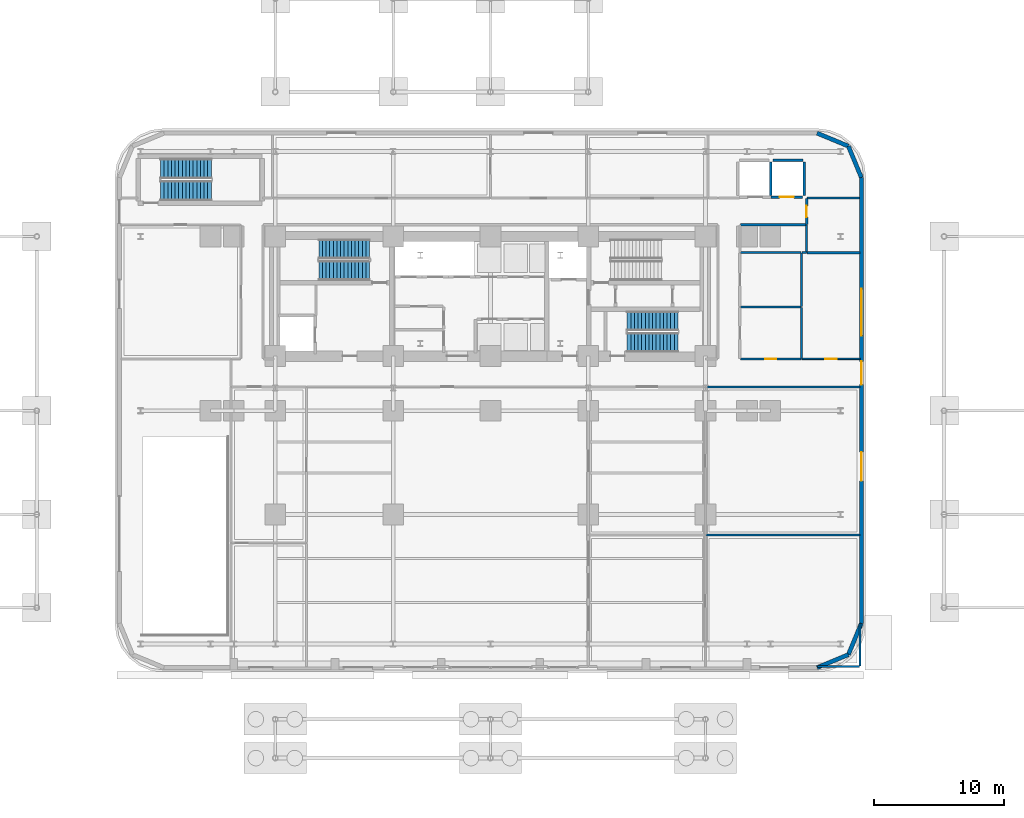
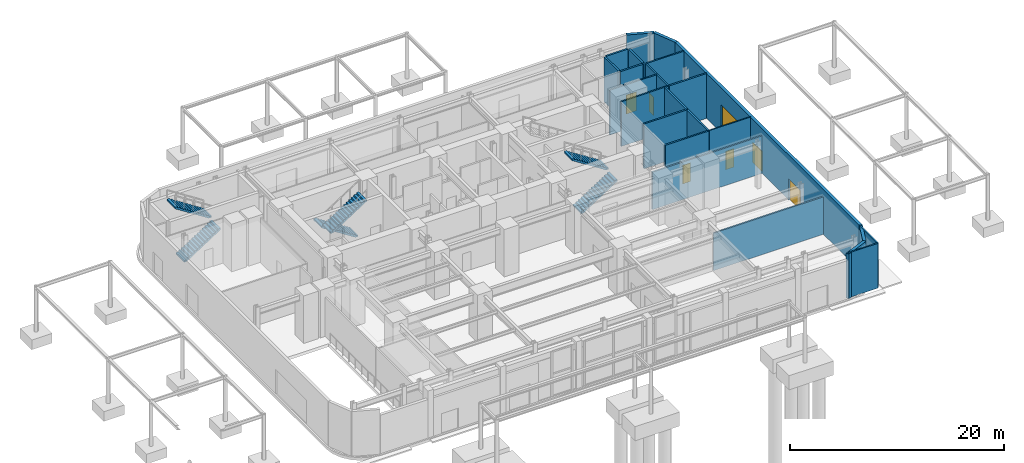
# One storey, part 15 of 21: 25 walls, 7 doors, 6 stair flights, 7 openings, 3 elements without a shape of their own.
"""IFC4 building model written with IfcOpenShell, lengths in metres."""

from ifc_helpers import new_model, si_unit, direction, frame, frame_2d, origin, place, context, subcontext, project, spatial, polyline, rectangle, outline, extrude, material, layer, layer_set, type_object, element, fill, aggregate, save


model = new_model("IFC4")

# Units and contexts
model_context = context("Model", 3, precision=1e-05, world=origin(), true_north=direction((0.0, 1.0)))
body_context = subcontext(model_context, "Body", "Model", "MODEL_VIEW")
ifc_project = project(units=[si_unit("LENGTHUNIT", "METRE"), si_unit("AREAUNIT", "SQUARE_METRE"), si_unit("VOLUMEUNIT", "CUBIC_METRE"), si_unit("PLANEANGLEUNIT", "RADIAN"), si_unit("MASSUNIT", "GRAM", prefix="KILO")], contexts=[model_context])

# Site, building, storey
site_placement = place(None, origin())
site = spatial("IfcSite", under=ifc_project, at=site_placement, CompositionType="ELEMENT")
building_placement = place(site_placement, origin())
building = spatial("IfcBuilding", under=site, at=building_placement, Name="Zarnavel Station Tower", CompositionType="ELEMENT")
storey_placement = place(building_placement, origin())
storey = spatial("IfcBuildingStorey", under=building, at=storey_placement, Name="L01", CompositionType="ELEMENT", Elevation=0.0)

# Walls
ifc_material_1 = material(Name="Precast concrete C45/55 (Podium Basalt Frame)", Category="masonry")
ifc_layer_1 = layer(ifc_material_1, 0.320068359375)
ifc_layer_set_1 = layer_set([ifc_layer_1], Name="EW_BASALT_320")
wall_type_1 = type_object("IfcWallType", Name="EW_BASALT_320", PredefinedType="SOLIDWALL", material=ifc_layer_set_1)
for number, where, z_axis, x_axis, name in (
    (1, (56.418212890625, 4.78173828125, 0.0), (0.0, 0.0, 1.0), (-0.923872453333, -0.382700522567, 0.0), "L01 Exterior Basalt Masonry Frame Wall 01"),
    (2, (57.419921875, 7.199951171875, 0.0), (0.0, 0.0, 1.0), (-0.382700522567, -0.923872453333, 0.0), "L01 Exterior Basalt Masonry Frame Wall 02"),
):
    element("IfcWall", number, at=place(storey_placement, frame(where, z_axis=z_axis, x_axis=x_axis)), inside=storey, type_object=wall_type_1, Name=name, PredefinedType="SOLIDWALL", context=body_context, shape_type="SweptSolid", body=[
        extrude(rectangle(XDim=2.617431640625, YDim=0.320068359375, at=frame_2d((1.30859375, 0.0))), origin(), (0.0, 0.0, 1.0), 5.10009765625),
    ])

# Wall, openings, doors
wall_1_placement = place(storey_placement, frame((57.419921875, 41.60009765625, 0.0), z_axis=(0.0, 0.0, 1.0), x_axis=(0.0, -1.0, 0.0)))
wall_1 = element("IfcWall", 3, at=wall_1_placement, inside=storey, type_object=wall_type_1, Name="L01 Exterior Basalt Masonry Frame Wall 03", PredefinedType="SOLIDWALL", context=body_context, shape_type="SweptSolid", body=[
    extrude(rectangle(XDim=34.400146484375, YDim=0.320068359375, at=frame_2d((17.2001953125, 0.0))), origin(), (0.0, 0.0, 1.0), 5.10009765625),
])
opening_1_placement = place(wall_1_placement, frame((14.179931640625, 0.0, 0.0)))
opening_1 = element("IfcOpeningElement", 4, at=opening_1_placement, cuts=wall_1, Name="Opening ED02", PredefinedType="OPENING", context=body_context, shape_type="SweptSolid", body=[
    extrude(rectangle(XDim=1.800048828125, YDim=2.300048828125, at=frame_2d((0.89990234375, 1.14990234375))), frame((0.0, 0.169921875, 0.0), z_axis=(0.0, -1.0, 0.0), x_axis=(1.0, 0.0, 0.0)), (0.0, 0.0, 1.0), 0.340087890625),
])
opening_2_placement = place(wall_1_placement, frame((21.199951171875, 0.0, 0.0)))
opening_2 = element("IfcOpeningElement", 5, at=opening_2_placement, cuts=wall_1, Name="Opening ED01", PredefinedType="OPENING", context=body_context, shape_type="SweptSolid", body=[
    extrude(rectangle(XDim=2.199951171875, YDim=2.39990234375, at=frame_2d((1.10009765625, 1.199951171875))), frame((0.0, 0.169921875, 0.0), z_axis=(0.0, -1.0, 0.0), x_axis=(1.0, 0.0, 0.0)), (0.0, 0.0, 1.0), 0.340087890625),
])
opening_3_placement = place(wall_1_placement, frame((8.60009765625, 0.0, 0.0)))
opening_3 = element("IfcOpeningElement", 6, at=opening_3_placement, cuts=wall_1, Name="Opening VD02", PredefinedType="OPENING", context=body_context, shape_type="SweptSolid", body=[
    extrude(rectangle(XDim=3.60009765625, YDim=3.199951171875, at=frame_2d((1.800048828125, 1.60009765625))), frame((0.0, 0.169921875, 0.0), z_axis=(0.0, -1.0, 0.0), x_axis=(1.0, 0.0, 0.0)), (0.0, 0.0, 1.0), 0.340087890625),
])
ifc_material_2 = material(Name="Thermally Broken Black Aluminium and Laminated Safety Glass", Category="aluminium")
door_type_1 = type_object("IfcDoorType", Name="ED_EXIT_2200", OperationType="DOUBLE_DOOR_SINGLE_SWING", PredefinedType="DOOR", material=ifc_material_2)
door_1_placement = place(opening_2_placement, origin())
door_1 = element("IfcDoor", 7, at=door_1_placement, inside=storey, type_object=door_type_1, Name="L01 East Hotel Forecourt Entrance Door", OperationType="SINGLE_SWING_LEFT", OverallHeight=2.39990234375, OverallWidth=2.199951171875, PredefinedType="DOOR", context=body_context, shape_type="SweptSolid", body=[
    extrude(rectangle(XDim=2.199951171875, YDim=2.39990234375, at=frame_2d((1.10009765625, 1.199951171875))), frame((0.0, 0.02490234375, 0.0), z_axis=(0.0, -1.0, 0.0), x_axis=(1.0, 0.0, 0.0)), (0.0, 0.0, 1.0), 0.050048828125),
])
fill(opening_2, door_1)
ifc_material_3 = material(Name="Thermally Broken Black Aluminium and Laminated Safety Glass", Category="aluminium")
door_type_2 = type_object("IfcDoorType", Name="ED_SHOP_1800", OperationType="DOUBLE_DOOR_SINGLE_SWING", PredefinedType="DOOR", material=ifc_material_3)
door_2_placement = place(opening_1_placement, origin())
door_2 = element("IfcDoor", 8, at=door_2_placement, inside=storey, type_object=door_type_2, Name="L01 East Protected Corridor Final Exit Door", OperationType="SINGLE_SWING_LEFT", OverallHeight=2.300048828125, OverallWidth=1.800048828125, PredefinedType="DOOR", context=body_context, shape_type="SweptSolid", body=[
    extrude(rectangle(XDim=1.800048828125, YDim=2.300048828125, at=frame_2d((0.89990234375, 1.14990234375))), frame((0.0, 0.02490234375, 0.0), z_axis=(0.0, -1.0, 0.0), x_axis=(1.0, 0.0, 0.0)), (0.0, 0.0, 1.0), 0.050048828125),
])
fill(opening_1, door_2)
ifc_material_4 = material(Name="Thermally Broken Black Aluminium and Laminated Safety Glass", Category="aluminium")
door_type_3 = type_object("IfcDoorType", Name="VD_LOAD_3600", OperationType="ROLLINGUP", PredefinedType="GATE", material=ifc_material_4)
door_3_placement = place(opening_3_placement, origin())
door_3 = element("IfcDoor", 9, at=door_3_placement, inside=storey, type_object=door_type_3, Name="L01 Service and Loading Bay Shutter", OperationType="ROLLINGUP", OverallHeight=3.199951171875, OverallWidth=3.60009765625, PredefinedType="GATE", context=body_context, shape_type="SweptSolid", body=[
    extrude(rectangle(XDim=3.60009765625, YDim=3.199951171875, at=frame_2d((1.800048828125, 1.60009765625))), frame((0.0, 0.02490234375, 0.0), z_axis=(0.0, -1.0, 0.0), x_axis=(1.0, 0.0, 0.0)), (0.0, 0.0, 1.0), 0.050048828125),
])
fill(opening_3, door_3)

# Walls
for number, where, z_axis, x_axis, name in (
    (10, (56.418212890625, 44.018310546875, 0.0), (0.0, 0.0, 1.0), (0.382700522567, -0.923872453333, 0.0), "L01 Exterior Basalt Masonry Frame Wall 04"),
    (11, (54.0, 45.02001953125, 0.0), (0.0, 0.0, 1.0), (0.923872453333, -0.382700522567, 0.0), "L01 Exterior Basalt Masonry Frame Wall 05"),
):
    element("IfcWall", number, at=place(storey_placement, frame(where, z_axis=z_axis, x_axis=x_axis)), inside=storey, type_object=wall_type_1, Name=name, PredefinedType="SOLIDWALL", context=body_context, shape_type="SweptSolid", body=[
        extrude(rectangle(XDim=2.617431640625, YDim=0.320068359375, at=frame_2d((1.30859375, 0.0))), origin(), (0.0, 0.0, 1.0), 5.10009765625),
    ])
ifc_material_5 = material(Name="Gypsum Twin-Stud Acoustic Fire Partition", Category="concrete")
ifc_layer_2 = layer(ifc_material_5, 0.159912109375)
ifc_layer_set_2 = layer_set([ifc_layer_2], Name="PT_DEMISE_160")
wall_type_2 = type_object("IfcWallType", Name="PT_DEMISE_160", PredefinedType="PARTITIONING", material=ifc_layer_set_2)
for number, where, z_axis, x_axis, name in (
    (12, (45.43994140625, 25.449951171875, 0.0), (0.0, 0.0, 1.0), (1.0, 0.0, 0.0), "L01 Partition PCOR-S-HLUG"),
    (13, (45.43994140625, 14.0, 0.0), (0.0, 0.0, 1.0), (1.0, 0.0, 0.0), "L01 Partition TKTE-HLUG"),
):
    element("IfcWall", number, at=place(storey_placement, frame(where, z_axis=z_axis, x_axis=x_axis)), inside=storey, type_object=wall_type_2, Name=name, PredefinedType="PARTITIONING", context=body_context, shape_type="SweptSolid", body=[
        extrude(rectangle(XDim=11.880126953125, YDim=0.159912109375, at=frame_2d((5.93994140625, 0.0))), origin(), (0.0, 0.0, 1.0), 4.26611328125),
    ])
wall_2_placement = place(storey_placement, frame((48.080078125, 37.949951171875, 0.0), z_axis=(0.0, 0.0, 1.0), x_axis=(1.0, 0.0, 0.0)))
element("IfcWall", 14, at=wall_2_placement, inside=storey, type_object=wall_type_2, Name="L01 Enclosure Wall PLLOB", PredefinedType="PARTITIONING", context=body_context, shape_type="SweptSolid", body=[
    extrude(rectangle(XDim=5.08984375, YDim=0.159912109375, at=frame_2d((2.544921875, 0.0))), origin(), (0.0, 0.0, 1.0), 5.10009765625),
])
wall_3_placement = place(storey_placement, frame((48.080078125, 35.800048828125, 0.0), z_axis=(0.0, 0.0, 1.0), x_axis=(1.0, 0.0, 0.0)))
element("IfcWall", 15, at=wall_3_placement, inside=storey, type_object=wall_type_2, Name="L01 Enclosure Wall PWC-F", PredefinedType="PARTITIONING", context=body_context, shape_type="SweptSolid", body=[
    extrude(rectangle(XDim=4.68994140625, YDim=0.159912109375, at=frame_2d((2.344970703125, 0.0))), origin(), (0.0, 0.0, 1.0), 5.10009765625),
])
wall_4_placement = place(storey_placement, frame((53.22998046875, 40.0, 0.0), z_axis=(0.0, 0.0, 1.0), x_axis=(1.0, 0.0, 0.0)))
element("IfcWall", 16, at=wall_4_placement, inside=storey, type_object=wall_type_2, Name="L01 Enclosure Wall PWC-A", PredefinedType="PARTITIONING", context=body_context, shape_type="SweptSolid", body=[
    extrude(rectangle(XDim=4.06005859375, YDim=0.159912109375, at=frame_2d((2.030029296875, 0.0))), origin(), (0.0, 0.0, 1.0), 5.10009765625),
])
wall_5_placement = place(storey_placement, frame((53.199951171875, 35.830078125, 0.0), z_axis=(0.0, 0.0, 1.0), x_axis=(0.0, 1.0, 0.0)))
element("IfcWall", 17, at=wall_5_placement, inside=storey, type_object=wall_type_2, Name="L01 Enclosure Wall PWC-A", PredefinedType="PARTITIONING", context=body_context, shape_type="SweptSolid", body=[
    extrude(rectangle(XDim=2.08984375, YDim=0.159912109375, at=frame_2d((1.044921875, 0.0))), origin(), (0.0, 0.0, 1.0), 5.10009765625),
])
for number, where, z_axis, x_axis, name in (
    (18, (54.030029296875, 3.8798828125, 0.0), (0.0, 0.0, 1.0), (1.0, 0.0, 0.0), "L01 Enclosure Wall TKTE"),
    (19, (57.320068359375, 3.909912109375, 0.0), (0.0, 0.0, 1.0), (0.0, 1.0, 0.0), "L01 Enclosure Wall TKTE"),
):
    element("IfcWall", number, at=place(storey_placement, frame(where, z_axis=z_axis, x_axis=x_axis)), inside=storey, type_object=wall_type_2, Name=name, PredefinedType="PARTITIONING", context=body_context, shape_type="SweptSolid", body=[
        extrude(rectangle(XDim=3.260009765625, YDim=0.159912109375, at=frame_2d((1.6298828125, 0.0))), origin(), (0.0, 0.0, 1.0), 5.10009765625),
    ])
wall_6_placement = place(storey_placement, frame((52.830078125, 35.800048828125, 0.0), z_axis=(0.0, 0.0, 1.0), x_axis=(1.0, 0.0, 0.0)))
element("IfcWall", 20, at=wall_6_placement, inside=storey, type_object=wall_type_2, Name="L01 Enclosure Wall LOAD", PredefinedType="PARTITIONING", context=body_context, shape_type="SweptSolid", body=[
    extrude(rectangle(XDim=0.33984375, YDim=0.159912109375, at=frame_2d((0.169921875, 0.0))), origin(), (0.0, 0.0, 1.0), 5.10009765625),
])

# Wall, opening, door
ifc_material_6 = material(Name="Gypsum Metal-Stud Interior Partition", Category="concrete")
ifc_layer_3 = layer(ifc_material_6, 0.1201171875)
ifc_layer_set_3 = layer_set([ifc_layer_3], Name="PT_ROOM_120")
wall_type_3 = type_object("IfcWallType", Name="PT_ROOM_120", PredefinedType="PARTITIONING", material=ifc_layer_set_3)
wall_7_placement = place(storey_placement, frame((52.840087890625, 27.60009765625, 0.0), z_axis=(0.0, 0.0, 1.0), x_axis=(1.0, 0.0, 0.0)))
wall_7 = element("IfcWall", 21, at=wall_7_placement, inside=storey, type_object=wall_type_3, Name="L01 Partition PCOR-S-LOAD", PredefinedType="PARTITIONING", context=body_context, shape_type="SweptSolid", body=[
    extrude(rectangle(XDim=4.47998046875, YDim=0.1201171875, at=frame_2d((2.239990234375, 0.0))), origin(), (0.0, 0.0, 1.0), 5.10009765625),
])
opening_4_placement = place(wall_7_placement, frame((1.7900390625, 0.0, 0.0)))
opening_4 = element("IfcOpeningElement", 22, at=opening_4_placement, cuts=wall_7, Name="Opening ID01", PredefinedType="OPENING", context=body_context, shape_type="SweptSolid", body=[
    extrude(rectangle(XDim=0.89990234375, YDim=2.10009765625, at=frame_2d((0.449951171875, 1.050048828125))), frame((0.0, 0.070068359375, 0.0), z_axis=(0.0, -1.0, 0.0), x_axis=(1.0, 0.0, 0.0)), (0.0, 0.0, 1.0), 0.14013671875),
])
ifc_material_7 = material(Name="Painted Galvanised Steel and Hardwood Leaf", Category="steel")
door_type_4 = type_object("IfcDoorType", Name="ID_ROOM_900", OperationType="NOTDEFINED", PredefinedType="DOOR", material=ifc_material_7)
door_4_placement = place(opening_4_placement, origin())
door_4 = element("IfcDoor", 23, at=door_4_placement, inside=storey, type_object=door_type_4, Name="L01 Door PCOR-S-LOAD", OperationType="SINGLE_SWING_LEFT", OverallHeight=2.10009765625, OverallWidth=0.89990234375, PredefinedType="DOOR", context=body_context, shape_type="SweptSolid", body=[
    extrude(rectangle(XDim=0.89990234375, YDim=2.10009765625, at=frame_2d((0.449951171875, 1.050048828125))), frame((0.0, 0.02490234375, 0.0), z_axis=(0.0, -1.0, 0.0), x_axis=(1.0, 0.0, 0.0)), (0.0, 0.0, 1.0), 0.050048828125),
])
fill(opening_4, door_4)

# Wall
ifc_material_8 = material(Name="Precast concrete C45/55 (Fire Shaft Blockwork)", Category="masonry")
ifc_layer_4 = layer(ifc_material_8, 0.199951171875)
ifc_layer_set_4 = layer_set([ifc_layer_4], Name="PT_SHAFT_200")
wall_type_4 = type_object("IfcWallType", Name="PT_SHAFT_200", PredefinedType="PARTITIONING", material=ifc_layer_set_4)
wall_8_placement = place(storey_placement, frame((50.419921875, 40.199951171875, 0.0), z_axis=(0.0, 0.0, 1.0), x_axis=(0.0, 1.0, 0.0)))
element("IfcWall", 24, at=wall_8_placement, inside=storey, type_object=wall_type_4, Name="L01 Lift PL-P1 Shaft Wall E", PredefinedType="PARTITIONING", context=body_context, shape_type="SweptSolid", body=[
    extrude(rectangle(XDim=2.60009765625, YDim=0.199951171875, at=frame_2d((1.300048828125, 0.0))), origin(), (0.0, 0.0, 1.0), 5.10009765625),
])

# Wall, opening, door
wall_9_placement = place(storey_placement, frame((50.449951171875, 40.080078125, 0.0), z_axis=(0.0, 0.0, 1.0), x_axis=(1.0, 0.0, 0.0)))
wall_9 = element("IfcWall", 25, at=wall_9_placement, inside=storey, type_object=wall_type_4, Name="L01 Lift PL-P2 Shaft Front Wall", PredefinedType="PARTITIONING", context=body_context, shape_type="SweptSolid", body=[
    extrude(rectangle(XDim=2.429931640625, YDim=0.199951171875, at=frame_2d((1.21484375, 0.0))), origin(), (0.0, 0.0, 1.0), 5.10009765625),
])
opening_5_placement = place(wall_9_placement, frame((0.6650390625, 0.0, 0.0)))
opening_5 = element("IfcOpeningElement", 26, at=opening_5_placement, cuts=wall_9, Name="Opening LD02", PredefinedType="OPENING", context=body_context, shape_type="SweptSolid", body=[
    extrude(rectangle(XDim=1.10009765625, YDim=2.14990234375, at=frame_2d((0.550048828125, 1.074951171875))), frame((0.0, 0.10986328125, 0.0), z_axis=(0.0, -1.0, 0.0), x_axis=(1.0, 0.0, 0.0)), (0.0, 0.0, 1.0), 0.219970703125),
])
ifc_material_9 = material(Name="Painted Galvanised Steel and Hardwood Leaf", Category="steel")
door_type_5 = type_object("IfcDoorType", Name="LD_PAX_1100", OperationType="DOUBLE_DOOR_SLIDING", PredefinedType="DOOR", material=ifc_material_9)
door_5_placement = place(opening_5_placement, origin())
door_5 = element("IfcDoor", 27, at=door_5_placement, inside=storey, type_object=door_type_5, Name="L01 Lift PL-P2 Sliding Landing Door", OperationType="DOUBLE_DOOR_SLIDING", OverallHeight=2.14990234375, OverallWidth=1.10009765625, PredefinedType="DOOR", context=body_context, shape_type="SweptSolid", body=[
    extrude(rectangle(XDim=1.10009765625, YDim=2.14990234375, at=frame_2d((0.550048828125, 1.074951171875))), frame((0.0, 0.02490234375, 0.0), z_axis=(0.0, -1.0, 0.0), x_axis=(1.0, 0.0, 0.0)), (0.0, 0.0, 1.0), 0.050048828125),
])
fill(opening_5, door_5)

# Walls
wall_10_placement = place(storey_placement, frame((50.60009765625, 42.919921875, 0.0), z_axis=(0.0, 0.0, 1.0), x_axis=(1.0, 0.0, 0.0)))
element("IfcWall", 28, at=wall_10_placement, inside=storey, type_object=wall_type_4, Name="L01 Lift PL-P2 Shaft Wall N", PredefinedType="PARTITIONING", context=body_context, shape_type="SweptSolid", body=[
    extrude(rectangle(XDim=2.2998046875, YDim=0.199951171875, at=frame_2d((1.14990234375, 0.0))), origin(), (0.0, 0.0, 1.0), 5.10009765625),
])
wall_11_placement = place(storey_placement, frame((53.02001953125, 40.199951171875, 0.0), z_axis=(0.0, 0.0, 1.0), x_axis=(0.0, 1.0, 0.0)))
element("IfcWall", 29, at=wall_11_placement, inside=storey, type_object=wall_type_4, Name="L01 Lift PL-P2 Shaft Wall E", PredefinedType="PARTITIONING", context=body_context, shape_type="SweptSolid", body=[
    extrude(rectangle(XDim=2.60009765625, YDim=0.199951171875, at=frame_2d((1.300048828125, 0.0))), origin(), (0.0, 0.0, 1.0), 5.10009765625),
])

# Wall, opening, door
ifc_material_10 = material(Name="Moisture-Resistant Plumbing Chase Wall", Category="concrete")
ifc_layer_5 = layer(ifc_material_10, 0.179931640625)
ifc_layer_set_5 = layer_set([ifc_layer_5], Name="PW_PLUMB_180")
wall_type_5 = type_object("IfcWallType", Name="PW_PLUMB_180", PredefinedType="PLUMBINGWALL", material=ifc_layer_set_5)
wall_12_placement = place(storey_placement, frame((48.090087890625, 27.60009765625, 0.0), z_axis=(0.0, 0.0, 1.0), x_axis=(1.0, 0.0, 0.0)))
wall_12 = element("IfcWall", 30, at=wall_12_placement, inside=storey, type_object=wall_type_5, Name="L01 Partition PCOR-S-PWC-M", PredefinedType="PLUMBINGWALL", context=body_context, shape_type="SweptSolid", body=[
    extrude(rectangle(XDim=4.669921875, YDim=0.179931640625, at=frame_2d((2.3349609375, 0.0))), origin(), (0.0, 0.0, 1.0), 5.10009765625),
])
opening_6_placement = place(wall_12_placement, frame((1.909912109375, 0.0, 0.0)))
opening_6 = element("IfcOpeningElement", 31, at=opening_6_placement, cuts=wall_12, Name="Opening ID02", PredefinedType="OPENING", context=body_context, shape_type="SweptSolid", body=[
    extrude(rectangle(XDim=0.85009765625, YDim=2.10009765625, at=frame_2d((0.425048828125, 1.050048828125))), frame((0.0, 0.099853515625, 0.0), z_axis=(0.0, -1.0, 0.0), x_axis=(1.0, 0.0, 0.0)), (0.0, 0.0, 1.0), 0.199951171875),
])
ifc_material_11 = material(Name="Painted Galvanised Steel and Hardwood Leaf", Category="steel")
door_type_6 = type_object("IfcDoorType", Name="ID_BATH_850", OperationType="NOTDEFINED", PredefinedType="DOOR", material=ifc_material_11)
door_6_placement = place(opening_6_placement, origin())
door_6 = element("IfcDoor", 32, at=door_6_placement, inside=storey, type_object=door_type_6, Name="L01 Door PCOR-S-PWC-M", OperationType="SINGLE_SWING_LEFT", OverallHeight=2.10009765625, OverallWidth=0.85009765625, PredefinedType="DOOR", context=body_context, shape_type="SweptSolid", body=[
    extrude(rectangle(XDim=0.85009765625, YDim=2.10009765625, at=frame_2d((0.425048828125, 1.050048828125))), frame((0.0, 0.02490234375, 0.0), z_axis=(0.0, -1.0, 0.0), x_axis=(1.0, 0.0, 0.0)), (0.0, 0.0, 1.0), 0.050048828125),
])
fill(opening_6, door_6)

wall_13_placement = place(storey_placement, frame((53.199951171875, 37.989990234375, 0.0), z_axis=(0.0, 0.0, 1.0), x_axis=(0.0, 1.0, 0.0)))
wall_13 = element("IfcWall", 33, at=wall_13_placement, inside=storey, type_object=wall_type_5, Name="L01 Partition PLLOB-PWC-A", PredefinedType="PLUMBINGWALL", context=body_context, shape_type="SweptSolid", body=[
    extrude(rectangle(XDim=1.969970703125, YDim=0.179931640625, at=frame_2d((0.98486328125, 0.0))), origin(), (0.0, 0.0, 1.0), 5.10009765625),
])
opening_7_placement = place(wall_13_placement, frame((0.56005859375, 0.0, 0.0)))
opening_7 = element("IfcOpeningElement", 34, at=opening_7_placement, cuts=wall_13, Name="Opening ID02", PredefinedType="OPENING", context=body_context, shape_type="SweptSolid", body=[
    extrude(rectangle(XDim=0.85009765625, YDim=2.10009765625, at=frame_2d((0.425048828125, 1.050048828125))), frame((0.0, 0.099853515625, 0.0), z_axis=(0.0, -1.0, 0.0), x_axis=(1.0, 0.0, 0.0)), (0.0, 0.0, 1.0), 0.199951171875),
])
door_7_placement = place(opening_7_placement, origin())
door_7 = element("IfcDoor", 35, at=door_7_placement, inside=storey, type_object=door_type_6, Name="L01 Door PLLOB-PWC-A", OperationType="SINGLE_SWING_LEFT", OverallHeight=2.10009765625, OverallWidth=0.85009765625, PredefinedType="DOOR", context=body_context, shape_type="SweptSolid", body=[
    extrude(rectangle(XDim=0.85009765625, YDim=2.10009765625, at=frame_2d((0.425048828125, 1.050048828125))), frame((0.0, 0.02490234375, 0.0), z_axis=(0.0, -1.0, 0.0), x_axis=(1.0, 0.0, 0.0)), (0.0, 0.0, 1.0), 0.050048828125),
])
fill(opening_7, door_7)

# Walls
wall_14_placement = place(storey_placement, frame((48.090087890625, 31.60009765625, 0.0), z_axis=(0.0, 0.0, 1.0), x_axis=(1.0, 0.0, 0.0)))
element("IfcWall", 36, at=wall_14_placement, inside=storey, type_object=wall_type_5, Name="L01 Partition PWC-M-PWC-F", PredefinedType="PLUMBINGWALL", context=body_context, shape_type="SweptSolid", body=[
    extrude(rectangle(XDim=4.669921875, YDim=0.179931640625, at=frame_2d((2.3349609375, 0.0))), origin(), (0.0, 0.0, 1.0), 5.10009765625),
])
wall_15_placement = place(storey_placement, frame((52.800048828125, 27.639892578125, 0.0), z_axis=(0.0, 0.0, 1.0), x_axis=(0.0, 1.0, 0.0)))
element("IfcWall", 37, at=wall_15_placement, inside=storey, type_object=wall_type_5, Name="L01 Partition PWC-M-LOAD", PredefinedType="PLUMBINGWALL", context=body_context, shape_type="SweptSolid", body=[
    extrude(rectangle(XDim=3.920166015625, YDim=0.179931640625, at=frame_2d((1.9599609375, 0.0))), origin(), (0.0, 0.0, 1.0), 5.10009765625),
])
wall_16_placement = place(storey_placement, frame((52.800048828125, 31.639892578125, 0.0), z_axis=(0.0, 0.0, 1.0), x_axis=(0.0, 1.0, 0.0)))
element("IfcWall", 38, at=wall_16_placement, inside=storey, type_object=wall_type_5, Name="L01 Partition PWC-F-LOAD", PredefinedType="PLUMBINGWALL", context=body_context, shape_type="SweptSolid", body=[
    extrude(rectangle(XDim=4.1201171875, YDim=0.179931640625, at=frame_2d((2.06005859375, 0.0))), origin(), (0.0, 0.0, 1.0), 5.10009765625),
])
wall_17_placement = place(storey_placement, frame((53.239990234375, 35.800048828125, 0.0), z_axis=(0.0, 0.0, 1.0), x_axis=(1.0, 0.0, 0.0)))
element("IfcWall", 39, at=wall_17_placement, inside=storey, type_object=wall_type_5, Name="L01 Partition PWC-A-LOAD", PredefinedType="PLUMBINGWALL", context=body_context, shape_type="SweptSolid", body=[
    extrude(rectangle(XDim=4.080078125, YDim=0.179931640625, at=frame_2d((2.0400390625, 0.0))), origin(), (0.0, 0.0, 1.0), 5.10009765625),
])

# Stair, stair flights
ifc_material_12 = material(Name="Concrete C45/55", Category="concrete")
stair_type_1 = type_object("IfcStairType", Name="ST_CORE_150", PredefinedType="HALF_TURN_STAIR", material=ifc_material_12)
stair_1_placement = place(storey_placement, origin())
stair_1 = element("IfcStair", 40, at=stair_1_placement, inside=storey, type_object=stair_type_1, Name="L01 Core Exit Stair ST1", PredefinedType="HALF_TURN_STAIR")
ifc_material_13 = material(Name="Concrete C45/55", Category="concrete")
ifc_layer_6 = layer(ifc_material_13, 0.179931640625)
ifc_layer_set_6 = layer_set([ifc_layer_6], Name="ST_CORE_150_FLT")
stair_flight_type_1 = type_object("IfcStairFlightType", Name="ST_CORE_150_FLT", PredefinedType="STRAIGHT", material=ifc_layer_set_6)
stair_flight_1_placement = place(storey_placement, frame((19.47998046875, 36.070068359375, 0.0), z_axis=(0.0, 0.0, 1.0), x_axis=(-1.0, 0.0, 0.0)))
stair_flight_1 = element("IfcStairFlight", 41, at=stair_flight_1_placement, type_object=stair_flight_type_1, Name="ST1 flight 1", NumberOfRisers=15, NumberOfTreads=14, PredefinedType="STRAIGHT", RiserHeight=0.18, TreadLength=0.28, context=body_context, shape_type="SweptSolid", body=[
    extrude(outline(polyline([(0.0, 0.0), (0.0, 0.179931640625), (0.280029296875, 0.179931640625), (0.280029296875, 0.360107421875), (0.56005859375, 0.360107421875), (0.56005859375, 0.5400390625), (0.840087890625, 0.5400390625), (0.840087890625, 0.719970703125), (1.1201171875, 0.719970703125), (1.1201171875, 0.89990234375), (1.39990234375, 0.89990234375), (1.39990234375, 1.080078125), (1.679931640625, 1.080078125), (1.679931640625, 1.260009765625), (1.9599609375, 1.260009765625), (1.9599609375, 1.43994140625), (2.239990234375, 1.43994140625), (2.239990234375, 1.6201171875), (2.52001953125, 1.6201171875), (2.52001953125, 1.800048828125), (2.800048828125, 1.800048828125), (2.800048828125, 1.97998046875), (3.080078125, 1.97998046875), (3.080078125, 2.159912109375), (3.360107421875, 2.159912109375), (3.360107421875, 2.340087890625), (3.639892578125, 2.340087890625), (3.639892578125, 2.52001953125), (3.919921875, 2.52001953125), (3.919921875, 2.699951171875), (3.919921875, 2.341796875), (0.277099609375, 0.0), (0.0, 0.0)])), frame((0.0, 0.75, 0.0), z_axis=(0.0, -1.0, 0.0), x_axis=(1.0, 0.0, 0.0)), (0.0, 0.0, 1.0), 1.5),
])
stair_flight_2_placement = place(storey_placement, frame((15.56005859375, 34.409912109375, 2.699951171875), z_axis=(0.0, 0.0, 1.0), x_axis=(1.0, 0.0, 0.0)))
stair_flight_2 = element("IfcStairFlight", 42, at=stair_flight_2_placement, type_object=stair_flight_type_1, Name="ST1 flight 2", NumberOfRisers=15, NumberOfTreads=14, PredefinedType="STRAIGHT", RiserHeight=0.18, TreadLength=0.28, context=body_context, shape_type="SweptSolid", body=[
    extrude(outline(polyline([(0.0, 0.0), (0.0, 0.179931640625), (0.280029296875, 0.179931640625), (0.280029296875, 0.360107421875), (0.56005859375, 0.360107421875), (0.56005859375, 0.5400390625), (0.840087890625, 0.5400390625), (0.840087890625, 0.719970703125), (1.1201171875, 0.719970703125), (1.1201171875, 0.89990234375), (1.39990234375, 0.89990234375), (1.39990234375, 1.080078125), (1.679931640625, 1.080078125), (1.679931640625, 1.260009765625), (1.9599609375, 1.260009765625), (1.9599609375, 1.43994140625), (2.239990234375, 1.43994140625), (2.239990234375, 1.6201171875), (2.52001953125, 1.6201171875), (2.52001953125, 1.800048828125), (2.800048828125, 1.800048828125), (2.800048828125, 1.97998046875), (3.080078125, 1.97998046875), (3.080078125, 2.159912109375), (3.360107421875, 2.159912109375), (3.360107421875, 2.340087890625), (3.639892578125, 2.340087890625), (3.639892578125, 2.52001953125), (3.919921875, 2.52001953125), (3.919921875, 2.699951171875), (3.919921875, 2.341796875), (0.277099609375, 0.0), (0.0, 0.0)])), frame((0.0, 0.75, 0.0), z_axis=(0.0, -1.0, 0.0), x_axis=(1.0, 0.0, 0.0)), (0.0, 0.0, 1.0), 1.5),
])
aggregate(stair_1, [stair_flight_1, stair_flight_2])

stair_2_placement = place(storey_placement, origin())
stair_2 = element("IfcStair", 43, at=stair_2_placement, inside=storey, type_object=stair_type_1, Name="L01 Core Exit Stair ST3", PredefinedType="HALF_TURN_STAIR")
stair_flight_3_placement = place(storey_placement, frame((39.35009765625, 28.8701171875, 0.0), z_axis=(0.0, 0.0, 1.0), x_axis=(1.0, 0.0, 0.0)))
stair_flight_3 = element("IfcStairFlight", 44, at=stair_flight_3_placement, type_object=stair_flight_type_1, Name="ST3 flight 1", NumberOfRisers=15, NumberOfTreads=14, PredefinedType="STRAIGHT", RiserHeight=0.18, TreadLength=0.28, context=body_context, shape_type="SweptSolid", body=[
    extrude(outline(polyline([(0.0, 0.0), (0.0, 0.179931640625), (0.280029296875, 0.179931640625), (0.280029296875, 0.360107421875), (0.56005859375, 0.360107421875), (0.56005859375, 0.5400390625), (0.840087890625, 0.5400390625), (0.840087890625, 0.719970703125), (1.1201171875, 0.719970703125), (1.1201171875, 0.89990234375), (1.39990234375, 0.89990234375), (1.39990234375, 1.080078125), (1.679931640625, 1.080078125), (1.679931640625, 1.260009765625), (1.9599609375, 1.260009765625), (1.9599609375, 1.43994140625), (2.239990234375, 1.43994140625), (2.239990234375, 1.6201171875), (2.52001953125, 1.6201171875), (2.52001953125, 1.800048828125), (2.800048828125, 1.800048828125), (2.800048828125, 1.97998046875), (3.080078125, 1.97998046875), (3.080078125, 2.159912109375), (3.360107421875, 2.159912109375), (3.360107421875, 2.340087890625), (3.639892578125, 2.340087890625), (3.639892578125, 2.52001953125), (3.919921875, 2.52001953125), (3.919921875, 2.699951171875), (3.919921875, 2.341796875), (0.277099609375, 0.0), (0.0, 0.0)])), frame((0.0, 0.75, 0.0), z_axis=(0.0, -1.0, 0.0), x_axis=(1.0, 0.0, 0.0)), (0.0, 0.0, 1.0), 1.5),
])
stair_flight_4_placement = place(storey_placement, frame((43.27001953125, 30.530029296875, 2.699951171875), z_axis=(0.0, 0.0, 1.0), x_axis=(-1.0, 0.0, 0.0)))
stair_flight_4 = element("IfcStairFlight", 45, at=stair_flight_4_placement, type_object=stair_flight_type_1, Name="ST3 flight 2", NumberOfRisers=15, NumberOfTreads=14, PredefinedType="STRAIGHT", RiserHeight=0.18, TreadLength=0.28, context=body_context, shape_type="SweptSolid", body=[
    extrude(outline(polyline([(0.0, 0.0), (0.0, 0.179931640625), (0.280029296875, 0.179931640625), (0.280029296875, 0.360107421875), (0.56005859375, 0.360107421875), (0.56005859375, 0.5400390625), (0.840087890625, 0.5400390625), (0.840087890625, 0.719970703125), (1.1201171875, 0.719970703125), (1.1201171875, 0.89990234375), (1.39990234375, 0.89990234375), (1.39990234375, 1.080078125), (1.679931640625, 1.080078125), (1.679931640625, 1.260009765625), (1.9599609375, 1.260009765625), (1.9599609375, 1.43994140625), (2.239990234375, 1.43994140625), (2.239990234375, 1.6201171875), (2.52001953125, 1.6201171875), (2.52001953125, 1.800048828125), (2.800048828125, 1.800048828125), (2.800048828125, 1.97998046875), (3.080078125, 1.97998046875), (3.080078125, 2.159912109375), (3.360107421875, 2.159912109375), (3.360107421875, 2.340087890625), (3.639892578125, 2.340087890625), (3.639892578125, 2.52001953125), (3.919921875, 2.52001953125), (3.919921875, 2.699951171875), (3.919921875, 2.341796875), (0.277099609375, 0.0), (0.0, 0.0)])), frame((0.0, 0.75, 0.0), z_axis=(0.0, -1.0, 0.0), x_axis=(1.0, 0.0, 0.0)), (0.0, 0.0, 1.0), 1.5),
])
aggregate(stair_2, [stair_flight_3, stair_flight_4])

ifc_material_14 = material(Name="Concrete C45/55", Category="concrete")
stair_type_2 = type_object("IfcStairType", Name="ST_POD_155", PredefinedType="HALF_TURN_STAIR", material=ifc_material_14)
stair_3_placement = place(storey_placement, origin())
stair_3 = element("IfcStair", 46, at=stair_3_placement, inside=storey, type_object=stair_type_2, Name="L01 Core Exit Stair ST4", PredefinedType="HALF_TURN_STAIR")
ifc_material_15 = material(Name="Concrete C45/55", Category="concrete")
ifc_layer_7 = layer(ifc_material_15, 0.179931640625)
ifc_layer_set_7 = layer_set([ifc_layer_7], Name="ST_POD_155_FLT")
stair_flight_type_2 = type_object("IfcStairFlightType", Name="ST_POD_155_FLT", PredefinedType="STRAIGHT", material=ifc_layer_set_7)
stair_flight_5_placement = place(storey_placement, frame((3.35009765625, 40.574951171875, 0.0), z_axis=(0.0, 0.0, 1.0), x_axis=(1.0, 0.0, 0.0)))
stair_flight_5 = element("IfcStairFlight", 47, at=stair_flight_5_placement, type_object=stair_flight_type_2, Name="ST4 flight 1", NumberOfRisers=15, NumberOfTreads=14, PredefinedType="STRAIGHT", RiserHeight=0.18, TreadLength=0.28, context=body_context, shape_type="SweptSolid", body=[
    extrude(outline(polyline([(0.0, 0.0), (0.0, 0.179931640625), (0.280029296875, 0.179931640625), (0.280029296875, 0.360107421875), (0.56005859375, 0.360107421875), (0.56005859375, 0.5400390625), (0.840087890625, 0.5400390625), (0.840087890625, 0.719970703125), (1.1201171875, 0.719970703125), (1.1201171875, 0.89990234375), (1.39990234375, 0.89990234375), (1.39990234375, 1.080078125), (1.679931640625, 1.080078125), (1.679931640625, 1.260009765625), (1.9599609375, 1.260009765625), (1.9599609375, 1.43994140625), (2.239990234375, 1.43994140625), (2.239990234375, 1.6201171875), (2.52001953125, 1.6201171875), (2.52001953125, 1.800048828125), (2.800048828125, 1.800048828125), (2.800048828125, 1.97998046875), (3.080078125, 1.97998046875), (3.080078125, 2.159912109375), (3.360107421875, 2.159912109375), (3.360107421875, 2.340087890625), (3.639892578125, 2.340087890625), (3.639892578125, 2.52001953125), (3.919921875, 2.52001953125), (3.919921875, 2.699951171875), (3.919921875, 2.341796875), (0.277099609375, 0.0), (0.0, 0.0)])), frame((0.0, 0.77490234375, 0.0), z_axis=(0.0, -1.0, 0.0), x_axis=(1.0, 0.0, 0.0)), (0.0, 0.0, 1.0), 1.550048828125),
])
stair_flight_6_placement = place(storey_placement, frame((7.27001953125, 42.284912109375, 2.699951171875), z_axis=(0.0, 0.0, 1.0), x_axis=(-1.0, 0.0, 0.0)))
stair_flight_6 = element("IfcStairFlight", 48, at=stair_flight_6_placement, type_object=stair_flight_type_2, Name="ST4 flight 2", NumberOfRisers=15, NumberOfTreads=14, PredefinedType="STRAIGHT", RiserHeight=0.18, TreadLength=0.28, context=body_context, shape_type="SweptSolid", body=[
    extrude(outline(polyline([(0.0, 0.0), (0.0, 0.179931640625), (0.280029296875, 0.179931640625), (0.280029296875, 0.360107421875), (0.56005859375, 0.360107421875), (0.56005859375, 0.5400390625), (0.840087890625, 0.5400390625), (0.840087890625, 0.719970703125), (1.1201171875, 0.719970703125), (1.1201171875, 0.89990234375), (1.39990234375, 0.89990234375), (1.39990234375, 1.080078125), (1.679931640625, 1.080078125), (1.679931640625, 1.260009765625), (1.9599609375, 1.260009765625), (1.9599609375, 1.43994140625), (2.239990234375, 1.43994140625), (2.239990234375, 1.6201171875), (2.52001953125, 1.6201171875), (2.52001953125, 1.800048828125), (2.800048828125, 1.800048828125), (2.800048828125, 1.97998046875), (3.080078125, 1.97998046875), (3.080078125, 2.159912109375), (3.360107421875, 2.159912109375), (3.360107421875, 2.340087890625), (3.639892578125, 2.340087890625), (3.639892578125, 2.52001953125), (3.919921875, 2.52001953125), (3.919921875, 2.699951171875), (3.919921875, 2.341796875), (0.277099609375, 0.0), (0.0, 0.0)])), frame((0.0, 0.77490234375, 0.0), z_axis=(0.0, -1.0, 0.0), x_axis=(1.0, 0.0, 0.0)), (0.0, 0.0, 1.0), 1.550048828125),
])
aggregate(stair_3, [stair_flight_5, stair_flight_6])

save(model, "model.ifc")
